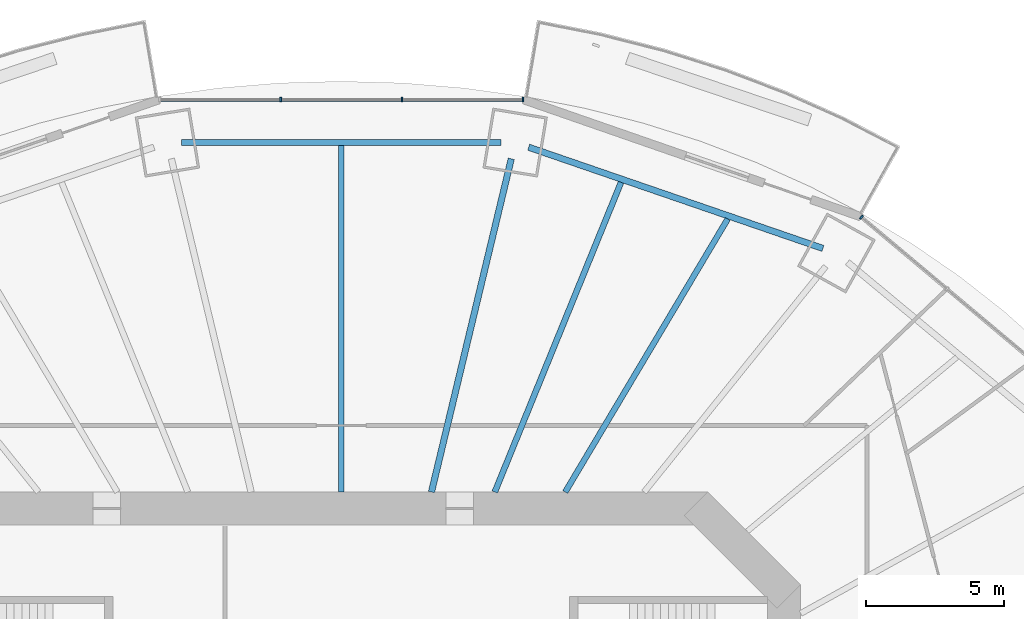
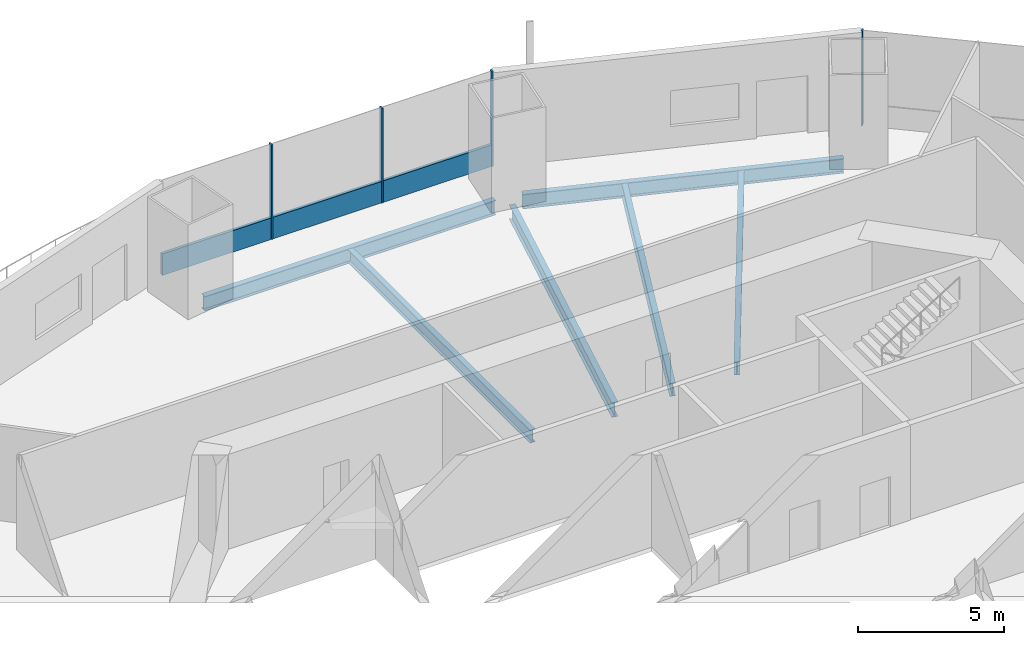
# One storey, part 9 of 21: 6 beams, 5 members, 2 elements without a shape of their own.
"""IFC4 building model written with IfcOpenShell, lengths in metres."""

import ifcopenshell
import ifcopenshell.guid

model = None  # the IFC model being written
_history = None  # IfcOwnerHistory: only IFC2X3 demands one
_inside = {}  # id of a spatial element -> (the spatial element, [elements in it])
_under = {}  # id of a project, library or spatial element -> (it, [spatial elements below it])
_declared = {}  # id of a project -> (the project, [libraries it declares])
_typed = {}  # id of a type object -> (the type object, [elements of that type])
_made_of = {}  # id of a material, layer set ... -> (it, [elements and type objects made of it])


def new_model(schema):
    """Start an empty IFC model of exactly this schema.

    Asked for "IFC4X3", IfcOpenShell would pick the latest addendum, in which some entities
    have other attributes; the version numbers below select the first issue.
    IFC2X3 requires an IfcOwnerHistory on every rooted entity: one is made here for all.
    """
    global model, _history
    if schema == "IFC4X3":
        model = ifcopenshell.file(schema_version=(4, 3, 0, 0))
    else:
        model = ifcopenshell.file(schema=schema)
    _inside.clear()
    _under.clear()
    _declared.clear()
    _typed.clear()
    _made_of.clear()
    _history = None
    if model.schema == "IFC2X3":
        org = make("IfcOrganization", Name="unknown")
        user = make(
            "IfcPersonAndOrganization",
            ThePerson=make("IfcPerson", FamilyName="unknown"),
            TheOrganization=org,
        )
        app = make(
            "IfcApplication",
            ApplicationDeveloper=org,
            Version="unknown",
            ApplicationFullName="unknown",
            ApplicationIdentifier="unknown",
        )
        _history = make(
            "IfcOwnerHistory",
            OwningUser=user,
            OwningApplication=app,
            ChangeAction="ADDED",
            CreationDate=0,
        )
    return model


def make(cls, **values):
    """One entity of the class cls with the attributes given. An attribute that is None is left unset."""
    return model.create_entity(
        cls, **{name: value for name, value in values.items() if value is not None}
    )


def rooted(cls, **values):
    """An entity with a GlobalId (a new one), such as an element, a storey or a relation."""
    return make(cls, GlobalId=ifcopenshell.guid.new(), OwnerHistory=_history, **values)


def si_unit(unit_type, name, prefix=None):
    """IfcSIUnit, for example si_unit("LENGTHUNIT", "METRE", prefix="MILLI")."""
    return make("IfcSIUnit", UnitType=unit_type, Prefix=prefix, Name=name)


def assignment(units):
    """IfcUnitAssignment: the units of a project."""
    return None if units is None else make("IfcUnitAssignment", Units=units)


def point(xyz):
    """IfcCartesianPoint."""
    return None if xyz is None else make("IfcCartesianPoint", Coordinates=xyz)


def direction(xyz):
    """IfcDirection."""
    return None if xyz is None else make("IfcDirection", DirectionRatios=xyz)


def frame(location, z_axis=None, x_axis=None):
    """IfcAxis2Placement3D, a coordinate frame: its origin and axes. An axis left out is left unset."""
    return make(
        "IfcAxis2Placement3D",
        Location=point(location),
        Axis=direction(z_axis),
        RefDirection=direction(x_axis),
    )


def frame_2d(location, x_axis=None):
    """IfcAxis2Placement2D, a coordinate frame in the plane: its origin and x axis."""
    return make(
        "IfcAxis2Placement2D", Location=point(location), RefDirection=direction(x_axis)
    )


def origin():
    """The frame at (0, 0, 0) with its axes left unset."""
    return frame((0.0, 0.0, 0.0))


def origin_2d():
    """The frame at (0, 0) in the plane with its x axis left unset."""
    return frame_2d((0.0, 0.0))


def place(relative_to, where):
    """IfcLocalPlacement: puts the frame where relative to a parent placement (None: the world)."""
    return make(
        "IfcLocalPlacement", PlacementRelTo=relative_to, RelativePlacement=where
    )


def context(
    kind, dimensions, precision=None, world=None, true_north=None, identifier=None
):
    """IfcGeometricRepresentationContext, for example the 3D "Model" context."""
    return make(
        "IfcGeometricRepresentationContext",
        ContextIdentifier=identifier,
        ContextType=kind,
        CoordinateSpaceDimension=dimensions,
        Precision=precision,
        WorldCoordinateSystem=world,
        TrueNorth=true_north,
    )


def subcontext(parent, identifier, kind, view, scale=None):
    """IfcGeometricRepresentationSubContext, for example "Body" below "Model"."""
    return make(
        "IfcGeometricRepresentationSubContext",
        ContextIdentifier=identifier,
        ContextType=kind,
        ParentContext=parent,
        TargetScale=scale,
        TargetView=view,
    )


def project(units=None, contexts=None):
    """IfcProject with its units and contexts."""
    return rooted(
        "IfcProject",
        Name="project",
        RepresentationContexts=contexts,
        UnitsInContext=assignment(units),
    )


def spatial(cls, under=None, at=None, **own):
    """A site, building, storey or space (cls), placed at a placement, below another one or the project."""
    s = rooted(cls, ObjectPlacement=at, **own)
    if under is not None:
        _under.setdefault(under.id(), (under, []))[1].append(s)
    return s


def profile(cls, at=None, kind="AREA", **sizes):
    """A parametric profile (cls). Its sizes go by their IFC names, for example OverallWidth=200.0."""
    return make(cls, ProfileType=kind, Position=at, **sizes)


def rectangle(**sizes):
    """IfcRectangleProfileDef."""
    return profile("IfcRectangleProfileDef", **sizes)


def i_section(**sizes):
    """IfcIShapeProfileDef."""
    return profile("IfcIShapeProfileDef", **sizes)


def extrude(swept, where, along, depth):
    """IfcExtrudedAreaSolid: the profile swept, set in the frame where, extruded along a direction by depth."""
    return make(
        "IfcExtrudedAreaSolid",
        SweptArea=swept,
        Position=where,
        ExtrudedDirection=direction(along),
        Depth=depth,
    )


def shape(context_of_items, identifier, shape_type, items):
    """IfcShapeRepresentation: the items that make up one representation, for example the "Body"."""
    return make(
        "IfcShapeRepresentation",
        ContextOfItems=context_of_items,
        RepresentationIdentifier=identifier,
        RepresentationType=shape_type,
        Items=items,
    )


def material(Name=None, Category=None):
    """IfcMaterial."""
    return make("IfcMaterial", Name=Name, Category=Category)


def material_profile(
    of_material, cross_section, Name=None, Category=None, Priority=None
):
    """IfcMaterialProfile: a cross section and its material."""
    return make(
        "IfcMaterialProfile",
        Name=Name,
        Material=of_material,
        Profile=cross_section,
        Priority=Priority,
        Category=Category,
    )


def profile_set(profiles, Name=None, composite=None):
    """IfcMaterialProfileSet."""
    return make(
        "IfcMaterialProfileSet",
        Name=Name,
        MaterialProfiles=profiles,
        CompositeProfile=composite,
    )


def made_of(thing, what):
    """Note that an element or type object is made of a material, layer set ...; save() writes the relation."""
    if what is not None:
        _made_of.setdefault(what.id(), (what, []))[1].append(thing)
    return thing


def type_object(cls, material=None, **own):
    """A type object (cls), such as IfcWallType, which elements share."""
    return made_of(rooted(cls, **own), material)


def element(
    cls,
    number,
    at=None,
    inside=None,
    cuts=None,
    type_object=None,
    material=None,
    context=None,
    identifier="Body",
    shape_type=None,
    held_by="IfcProductDefinitionShape",
    body=None,
    shapes=None,
    **own,
):
    """One element of the class cls, such as IfcWall. Its Tag is "e" and its number.

    at: its placement. inside: the storey or other place that contains it. cuts: it is an
    opening in that element (IfcRelVoidsElement). A single representation is given by context,
    identifier, shape_type and body (its items); several are given by shapes. held_by: the class
    of the entity that holds the representations. save() writes the other relations.
    """
    e = rooted(cls, Tag="e%d" % number, ObjectPlacement=at, **own)
    if body is not None:
        shapes = [shape(context, identifier, shape_type, body)]
    if shapes is not None:
        e.Representation = make(held_by, Representations=shapes)
    if inside is not None:
        _inside.setdefault(inside.id(), (inside, []))[1].append(e)
    if cuts is not None:
        rooted(
            "IfcRelVoidsElement", RelatingBuildingElement=cuts, RelatedOpeningElement=e
        )
    if type_object is not None:
        _typed.setdefault(type_object.id(), (type_object, []))[1].append(e)
    return made_of(e, material)


def aggregate(whole, parts):
    """IfcRelAggregates: a whole, such as a stair, and the parts it consists of."""
    return rooted("IfcRelAggregates", RelatingObject=whole, RelatedObjects=parts)


def save(model, path):
    """Write the relations noted so far, then the file.

    IfcRelAggregates (storeys below a building ...), IfcRelContainedInSpatialStructure (elements
    in a storey), IfcRelDefinesByType, IfcRelAssociatesMaterial and IfcRelDeclares: one each for
    every whole, place, type object, material and project.
    """
    for whole, parts in _under.values():
        aggregate(whole, parts)
    for where, things in _inside.values():
        rooted(
            "IfcRelContainedInSpatialStructure",
            RelatedElements=things,
            RelatingStructure=where,
        )
    for kind, things in _typed.values():
        rooted("IfcRelDefinesByType", RelatedObjects=things, RelatingType=kind)
    for what, things in _made_of.values():
        rooted("IfcRelAssociatesMaterial", RelatedObjects=things, RelatingMaterial=what)
    for by, libraries in _declared.values():
        rooted("IfcRelDeclares", RelatingContext=by, RelatedDefinitions=libraries)
    model.write(path)


model = new_model("IFC4")

# Units and contexts
model_context = context("Model", 3, precision=1e-05, world=origin(), true_north=direction((0.0, 1.0)))
body_context = subcontext(model_context, "Body", "Model", "MODEL_VIEW")
ifc_project = project(units=[si_unit("LENGTHUNIT", "METRE"), si_unit("AREAUNIT", "SQUARE_METRE"), si_unit("VOLUMEUNIT", "CUBIC_METRE"), si_unit("PLANEANGLEUNIT", "RADIAN"), si_unit("MASSUNIT", "GRAM", prefix="KILO")], contexts=[model_context])

# Site, building, storey
site_placement = place(None, origin())
site = spatial("IfcSite", under=ifc_project, at=site_placement, CompositionType="ELEMENT")
building_placement = place(site_placement, origin())
building = spatial("IfcBuilding", under=site, at=building_placement, Name="Marenthal Gate Tower", CompositionType="ELEMENT")
storey_placement = place(building_placement, frame((0.0, 0.0, 128.449951171875)))
storey = spatial("IfcBuildingStorey", under=building, at=storey_placement, Name="L27", CompositionType="ELEMENT", Elevation=128.449951171875)

# Curtain wall, member
ifc_material_1 = material(Name="Aluminium and glass", Category="aluminium")
curtain_wall_type = type_object("IfcCurtainWallType", Name="Curtain wall typical low", PredefinedType="NOTDEFINED", material=ifc_material_1)
curtain_wall_1_placement = place(storey_placement, origin())
curtain_wall_1 = element("IfcCurtainWall", 1, at=curtain_wall_1_placement, inside=storey, type_object=curtain_wall_type, Name="Curtain wall L27 bay 2", PredefinedType="NOTDEFINED")
ifc_material_2 = material(Name="Aluminium", Category="aluminium")
ifc_material_profile_1 = material_profile(ifc_material_2, rectangle(XDim=0.159912109375, YDim=0.06005859375, at=origin_2d()), Name="60x160 aluminium mullion")
ifc_profile_set_1 = profile_set([ifc_material_profile_1], Name="Aluminium")
member_type_1 = type_object("IfcMemberType", Name="Mullion 60x160 typical low", PredefinedType="MULLION", material=ifc_profile_set_1)
member_1_placement = place(storey_placement, frame((18.79248046875, 23.529541015625, 0.0), z_axis=(0.0, 0.0, 1.0), x_axis=(-0.642437868504, -0.766337774817, 0.0)))
member_1 = element("IfcMember", 2, at=member_1_placement, type_object=member_type_1, Name="Mullion L27 bay 2.4", PredefinedType="MULLION", context=body_context, shape_type="SweptSolid", body=[
    extrude(rectangle(XDim=0.159912109375, YDim=0.06005859375, at=origin_2d()), origin(), (0.0, 0.0, 1.0), 3.969970703125),
])
aggregate(curtain_wall_1, [member_1])

# Curtain wall, members
curtain_wall_2_placement = place(storey_placement, origin())
curtain_wall_2 = element("IfcCurtainWall", 3, at=curtain_wall_2_placement, inside=storey, type_object=curtain_wall_type, Name="Curtain wall L27 bay 4", PredefinedType="NOTDEFINED")
member_2_placement = place(storey_placement, frame((6.560791015625, 27.77783203125, 0.0), z_axis=(0.0, 0.0, 1.0), x_axis=(0.0, -1.0, 0.0)))
member_2 = element("IfcMember", 4, at=member_2_placement, type_object=member_type_1, Name="Mullion L27 bay 4.1", PredefinedType="MULLION", context=body_context, shape_type="SweptSolid", body=[
    extrude(rectangle(XDim=0.159912109375, YDim=0.06005859375, at=origin_2d()), origin(), (0.0, 0.0, 1.0), 3.969970703125),
])
member_3_placement = place(storey_placement, frame((2.18701171875, 27.77783203125, 0.0), z_axis=(0.0, 0.0, 1.0), x_axis=(0.0, -1.0, 0.0)))
member_3 = element("IfcMember", 5, at=member_3_placement, type_object=member_type_1, Name="Mullion L27 bay 4.2", PredefinedType="MULLION", context=body_context, shape_type="SweptSolid", body=[
    extrude(rectangle(XDim=0.159912109375, YDim=0.06005859375, at=origin_2d()), origin(), (0.0, 0.0, 1.0), 3.969970703125),
])
member_4_placement = place(storey_placement, frame((-2.18701171875, 27.77783203125, 0.0), z_axis=(0.0, 0.0, 1.0), x_axis=(0.0, -1.0, 0.0)))
member_4 = element("IfcMember", 6, at=member_4_placement, type_object=member_type_1, Name="Mullion L27 bay 4.3", PredefinedType="MULLION", context=body_context, shape_type="SweptSolid", body=[
    extrude(rectangle(XDim=0.159912109375, YDim=0.06005859375, at=origin_2d()), origin(), (0.0, 0.0, 1.0), 3.969970703125),
])
ifc_material_3 = material(Name="Aluminium", Category="aluminium")
ifc_material_profile_2 = material_profile(ifc_material_3, rectangle(XDim=0.1201171875, YDim=0.89990234375, at=origin_2d()), Name="120x900 aluminium transom")
ifc_profile_set_2 = profile_set([ifc_material_profile_2], Name="Aluminium")
member_type_2 = type_object("IfcMemberType", Name="Transom 120x900 typical low", PredefinedType="USERDEFINED", material=ifc_profile_set_2)
member_5_placement = place(storey_placement, frame((6.531005859375, 27.77783203125, 0.449951171875), z_axis=(-1.0, 0.0, 0.0), x_axis=(0.0, -1.0, 0.0)))
member_5 = element("IfcMember", 7, at=member_5_placement, type_object=member_type_2, Name="Transom L27 bay 4", ObjectType="TRANSOM", PredefinedType="USERDEFINED", context=body_context, shape_type="SweptSolid", body=[
    extrude(rectangle(XDim=0.1201171875, YDim=0.89990234375, at=origin_2d()), origin(), (0.0, 0.0, 1.0), 13.06201171875),
])
aggregate(curtain_wall_2, [member_2, member_3, member_4, member_5])

# Beams
ifc_material_4 = material(Name="Steel S355", Category="steel")
ifc_material_profile_3 = material_profile(ifc_material_4, i_section(OverallWidth=0.2099609375, OverallDepth=0.535888671875, WebThickness=0.010986328125, FlangeThickness=0.017333984375, FilletRadius=0.0126953125, at=origin_2d()), Name="W530X101")
ifc_profile_set_3 = profile_set([ifc_material_profile_3], Name="Steel S355")
beam_type_1 = type_object("IfcBeamType", Name="W530X101 beam", PredefinedType="BEAM", material=ifc_profile_set_3)
beam_1_placement = place(storey_placement, frame((13.962158203125, 23.4658203125, -0.447998046875), z_axis=(-0.51133355271, -0.859382335095, 0.0), x_axis=(0.859382335095, -0.51133355271, 0.0)))
element("IfcBeam", 8, at=beam_1_placement, inside=storey, type_object=beam_type_1, Name="BM-L27-20", PredefinedType="BEAM", context=body_context, shape_type="SweptSolid", body=[
    extrude(i_section(OverallWidth=0.2099609375, OverallDepth=0.535888671875, WebThickness=0.010986328125, FlangeThickness=0.017333984375, FilletRadius=0.0126953125, at=origin_2d()), origin(), (0.0, 0.0, 1.0), 11.47998046875),
])
ifc_material_5 = material(Name="Steel S355", Category="steel")
ifc_material_profile_4 = material_profile(ifc_material_5, i_section(OverallWidth=0.2119140625, OverallDepth=0.5439453125, WebThickness=0.01318359375, FlangeThickness=0.021240234375, FilletRadius=0.0126953125, at=origin_2d()), Name="W530X123")
ifc_profile_set_4 = profile_set([ifc_material_profile_4], Name="Steel S355")
beam_type_2 = type_object("IfcBeamType", Name="W530X123 beam", PredefinedType="BEAM", material=ifc_profile_set_4)
beam_2_placement = place(storey_placement, frame((10.10888671875, 24.791015625, -0.451904296875), z_axis=(-0.377578568114, -0.92597755097, 0.0), x_axis=(0.92597755097, -0.377578568114, 0.0)))
element("IfcBeam", 9, at=beam_2_placement, inside=storey, type_object=beam_type_2, Name="BM-L27-21", PredefinedType="BEAM", context=body_context, shape_type="SweptSolid", body=[
    extrude(i_section(OverallWidth=0.2119140625, OverallDepth=0.5439453125, WebThickness=0.01318359375, FlangeThickness=0.021240234375, FilletRadius=0.0126953125, at=origin_2d()), origin(), (0.0, 0.0, 1.0), 12.08544921875),
])
beam_3_placement = place(storey_placement, frame((0.0, 26.11376953125, -0.451904296875), z_axis=(0.0, -1.0, 0.0), x_axis=(1.0, 0.0, 0.0)))
element("IfcBeam", 10, at=beam_3_placement, inside=storey, type_object=beam_type_2, Name="BM-L27-22", PredefinedType="BEAM", context=body_context, shape_type="SweptSolid", body=[
    extrude(i_section(OverallWidth=0.2119140625, OverallDepth=0.5439453125, WebThickness=0.01318359375, FlangeThickness=0.021240234375, FilletRadius=0.0126953125, at=origin_2d()), origin(), (0.0, 0.0, 1.0), 12.513671875),
])
ifc_material_6 = material(Name="Steel S355", Category="steel")
ifc_material_profile_5 = material_profile(ifc_material_6, i_section(OverallWidth=0.22900390625, OverallDepth=0.612060546875, WebThickness=0.011962890625, FlangeThickness=0.01953125, FilletRadius=0.0126953125, at=origin_2d()), Name="W610X125")
ifc_profile_set_5 = profile_set([ifc_material_profile_5], Name="Steel S355")
beam_type_3 = type_object("IfcBeamType", Name="W610X125 beam", PredefinedType="BEAM", material=ifc_profile_set_5)
beam_4_placement = place(storey_placement, frame((6.142333984375, 25.641845703125, -0.48583984375), z_axis=(-0.232953092767, -0.972487972455, 0.0), x_axis=(0.972487972455, -0.232953092767, 0.0)))
element("IfcBeam", 11, at=beam_4_placement, inside=storey, type_object=beam_type_3, Name="BM-L27-04", PredefinedType="BEAM", context=body_context, shape_type="SweptSolid", body=[
    extrude(i_section(OverallWidth=0.22900390625, OverallDepth=0.612060546875, WebThickness=0.011962890625, FlangeThickness=0.01953125, FilletRadius=0.0126953125, at=origin_2d()), origin(), (0.0, 0.0, 1.0), 12.38232421875),
])
beam_5_placement = place(storey_placement, frame((17.404052734375, 22.40283203125, -0.48583984375), z_axis=(-0.945627146872, 0.325252669626, 0.0), x_axis=(-0.325252669626, -0.945627146872, 0.0)))
element("IfcBeam", 12, at=beam_5_placement, inside=storey, type_object=beam_type_3, Name="BM-L27-43", PredefinedType="BEAM", context=body_context, shape_type="SweptSolid", body=[
    extrude(i_section(OverallWidth=0.22900390625, OverallDepth=0.612060546875, WebThickness=0.011962890625, FlangeThickness=0.01953125, FilletRadius=0.0126953125, at=origin_2d()), origin(), (0.0, 0.0, 1.0), 11.24658203125),
])
beam_6_placement = place(storey_placement, frame((5.769287109375, 26.228271484375, -0.48583984375), z_axis=(-1.0, 0.0, 0.0), x_axis=(0.0, -1.0, 0.0)))
element("IfcBeam", 13, at=beam_6_placement, inside=storey, type_object=beam_type_3, Name="BM-L27-44", PredefinedType="BEAM", context=body_context, shape_type="SweptSolid", body=[
    extrude(i_section(OverallWidth=0.22900390625, OverallDepth=0.612060546875, WebThickness=0.011962890625, FlangeThickness=0.01953125, FilletRadius=0.0126953125, at=origin_2d()), origin(), (0.0, 0.0, 1.0), 11.53857421875),
])

save(model, "model.ifc")
